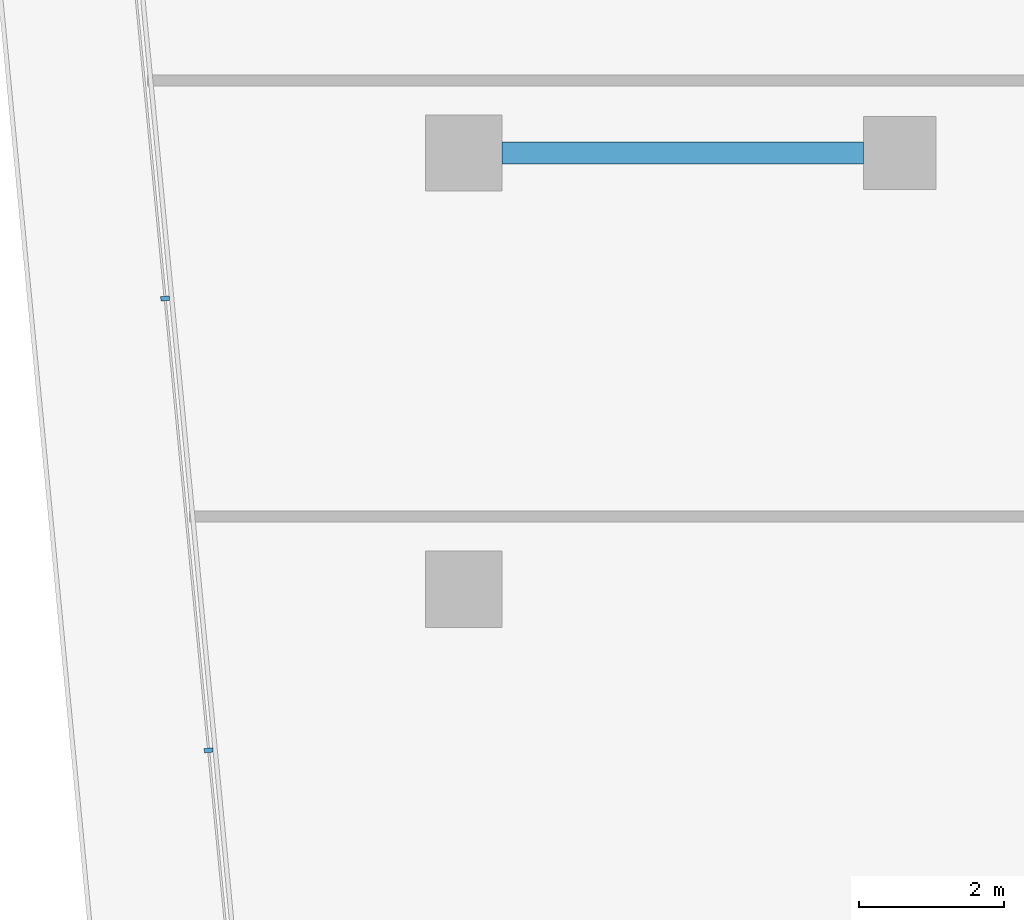
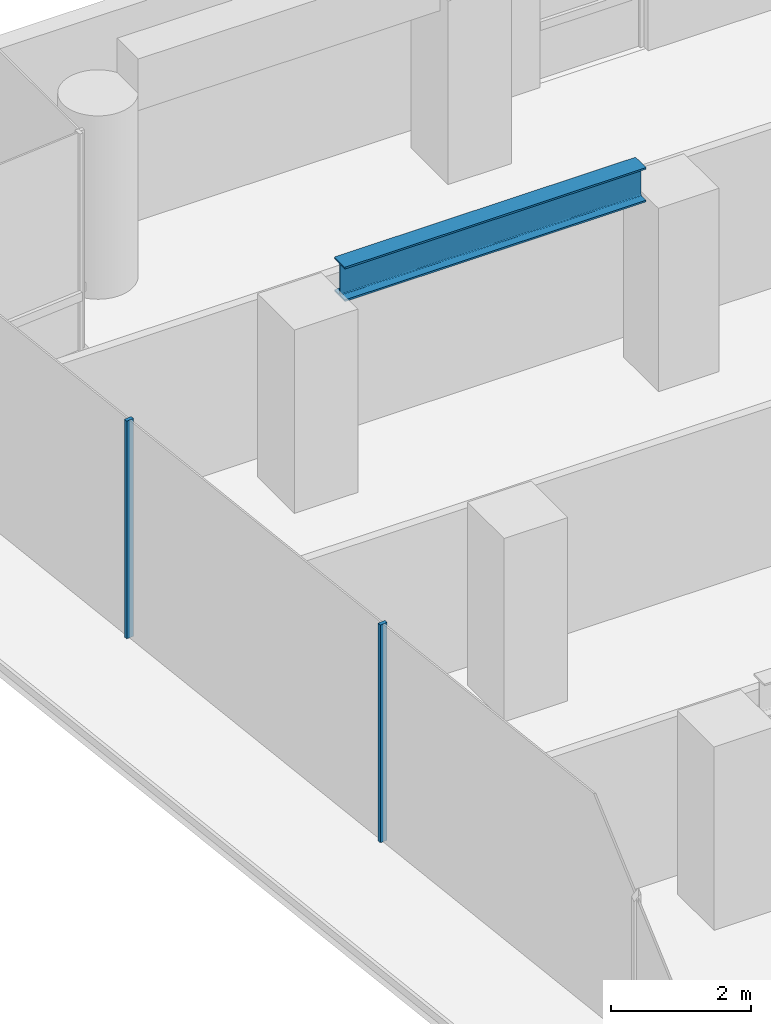
# One storey, part 15 of 30: 2 members, 1 beam, 1 element without a shape of its own.
"""IFC4 building model written with IfcOpenShell, lengths in metres."""

import ifcopenshell
import ifcopenshell.guid

model = None  # the IFC model being written
_history = None  # IfcOwnerHistory: only IFC2X3 demands one
_inside = {}  # id of a spatial element -> (the spatial element, [elements in it])
_under = {}  # id of a project, library or spatial element -> (it, [spatial elements below it])
_declared = {}  # id of a project -> (the project, [libraries it declares])
_typed = {}  # id of a type object -> (the type object, [elements of that type])
_made_of = {}  # id of a material, layer set ... -> (it, [elements and type objects made of it])


def new_model(schema):
    """Start an empty IFC model of exactly this schema.

    Asked for "IFC4X3", IfcOpenShell would pick the latest addendum, in which some entities
    have other attributes; the version numbers below select the first issue.
    IFC2X3 requires an IfcOwnerHistory on every rooted entity: one is made here for all.
    """
    global model, _history
    if schema == "IFC4X3":
        model = ifcopenshell.file(schema_version=(4, 3, 0, 0))
    else:
        model = ifcopenshell.file(schema=schema)
    _inside.clear()
    _under.clear()
    _declared.clear()
    _typed.clear()
    _made_of.clear()
    _history = None
    if model.schema == "IFC2X3":
        org = make("IfcOrganization", Name="unknown")
        user = make(
            "IfcPersonAndOrganization",
            ThePerson=make("IfcPerson", FamilyName="unknown"),
            TheOrganization=org,
        )
        app = make(
            "IfcApplication",
            ApplicationDeveloper=org,
            Version="unknown",
            ApplicationFullName="unknown",
            ApplicationIdentifier="unknown",
        )
        _history = make(
            "IfcOwnerHistory",
            OwningUser=user,
            OwningApplication=app,
            ChangeAction="ADDED",
            CreationDate=0,
        )
    return model


def make(cls, **values):
    """One entity of the class cls with the attributes given. An attribute that is None is left unset."""
    return model.create_entity(
        cls, **{name: value for name, value in values.items() if value is not None}
    )


def rooted(cls, **values):
    """An entity with a GlobalId (a new one), such as an element, a storey or a relation."""
    return make(cls, GlobalId=ifcopenshell.guid.new(), OwnerHistory=_history, **values)


def si_unit(unit_type, name, prefix=None):
    """IfcSIUnit, for example si_unit("LENGTHUNIT", "METRE", prefix="MILLI")."""
    return make("IfcSIUnit", UnitType=unit_type, Prefix=prefix, Name=name)


def assignment(units):
    """IfcUnitAssignment: the units of a project."""
    return None if units is None else make("IfcUnitAssignment", Units=units)


def point(xyz):
    """IfcCartesianPoint."""
    return None if xyz is None else make("IfcCartesianPoint", Coordinates=xyz)


def direction(xyz):
    """IfcDirection."""
    return None if xyz is None else make("IfcDirection", DirectionRatios=xyz)


def frame(location, z_axis=None, x_axis=None):
    """IfcAxis2Placement3D, a coordinate frame: its origin and axes. An axis left out is left unset."""
    return make(
        "IfcAxis2Placement3D",
        Location=point(location),
        Axis=direction(z_axis),
        RefDirection=direction(x_axis),
    )


def frame_2d(location, x_axis=None):
    """IfcAxis2Placement2D, a coordinate frame in the plane: its origin and x axis."""
    return make(
        "IfcAxis2Placement2D", Location=point(location), RefDirection=direction(x_axis)
    )


def origin():
    """The frame at (0, 0, 0) with its axes left unset."""
    return frame((0.0, 0.0, 0.0))


def origin_2d():
    """The frame at (0, 0) in the plane with its x axis left unset."""
    return frame_2d((0.0, 0.0))


def place(relative_to, where):
    """IfcLocalPlacement: puts the frame where relative to a parent placement (None: the world)."""
    return make(
        "IfcLocalPlacement", PlacementRelTo=relative_to, RelativePlacement=where
    )


def context(
    kind, dimensions, precision=None, world=None, true_north=None, identifier=None
):
    """IfcGeometricRepresentationContext, for example the 3D "Model" context."""
    return make(
        "IfcGeometricRepresentationContext",
        ContextIdentifier=identifier,
        ContextType=kind,
        CoordinateSpaceDimension=dimensions,
        Precision=precision,
        WorldCoordinateSystem=world,
        TrueNorth=true_north,
    )


def subcontext(parent, identifier, kind, view, scale=None):
    """IfcGeometricRepresentationSubContext, for example "Body" below "Model"."""
    return make(
        "IfcGeometricRepresentationSubContext",
        ContextIdentifier=identifier,
        ContextType=kind,
        ParentContext=parent,
        TargetScale=scale,
        TargetView=view,
    )


def project(units=None, contexts=None):
    """IfcProject with its units and contexts."""
    return rooted(
        "IfcProject",
        Name="project",
        RepresentationContexts=contexts,
        UnitsInContext=assignment(units),
    )


def spatial(cls, under=None, at=None, **own):
    """A site, building, storey or space (cls), placed at a placement, below another one or the project."""
    s = rooted(cls, ObjectPlacement=at, **own)
    if under is not None:
        _under.setdefault(under.id(), (under, []))[1].append(s)
    return s


def profile(cls, at=None, kind="AREA", **sizes):
    """A parametric profile (cls). Its sizes go by their IFC names, for example OverallWidth=200.0."""
    return make(cls, ProfileType=kind, Position=at, **sizes)


def rectangle(**sizes):
    """IfcRectangleProfileDef."""
    return profile("IfcRectangleProfileDef", **sizes)


def i_section(**sizes):
    """IfcIShapeProfileDef."""
    return profile("IfcIShapeProfileDef", **sizes)


def extrude(swept, where, along, depth):
    """IfcExtrudedAreaSolid: the profile swept, set in the frame where, extruded along a direction by depth."""
    return make(
        "IfcExtrudedAreaSolid",
        SweptArea=swept,
        Position=where,
        ExtrudedDirection=direction(along),
        Depth=depth,
    )


def shape(context_of_items, identifier, shape_type, items):
    """IfcShapeRepresentation: the items that make up one representation, for example the "Body"."""
    return make(
        "IfcShapeRepresentation",
        ContextOfItems=context_of_items,
        RepresentationIdentifier=identifier,
        RepresentationType=shape_type,
        Items=items,
    )


def material(Name=None, Category=None):
    """IfcMaterial."""
    return make("IfcMaterial", Name=Name, Category=Category)


def layer(
    of_material, thickness, ventilated=None, Name=None, Category=None, Priority=None
):
    """IfcMaterialLayer: one layer of a wall or slab, of a material (None: an air gap)."""
    return make(
        "IfcMaterialLayer",
        Material=of_material,
        LayerThickness=thickness,
        IsVentilated=ventilated,
        Name=Name,
        Category=Category,
        Priority=Priority,
    )


def layer_set(layers, Name=None):
    """IfcMaterialLayerSet."""
    return make("IfcMaterialLayerSet", MaterialLayers=layers, LayerSetName=Name)


def material_profile(
    of_material, cross_section, Name=None, Category=None, Priority=None
):
    """IfcMaterialProfile: a cross section and its material."""
    return make(
        "IfcMaterialProfile",
        Name=Name,
        Material=of_material,
        Profile=cross_section,
        Priority=Priority,
        Category=Category,
    )


def profile_set(profiles, Name=None, composite=None):
    """IfcMaterialProfileSet."""
    return make(
        "IfcMaterialProfileSet",
        Name=Name,
        MaterialProfiles=profiles,
        CompositeProfile=composite,
    )


def made_of(thing, what):
    """Note that an element or type object is made of a material, layer set ...; save() writes the relation."""
    if what is not None:
        _made_of.setdefault(what.id(), (what, []))[1].append(thing)
    return thing


def type_object(cls, material=None, **own):
    """A type object (cls), such as IfcWallType, which elements share."""
    return made_of(rooted(cls, **own), material)


def element(
    cls,
    number,
    at=None,
    inside=None,
    cuts=None,
    type_object=None,
    material=None,
    context=None,
    identifier="Body",
    shape_type=None,
    held_by="IfcProductDefinitionShape",
    body=None,
    shapes=None,
    **own,
):
    """One element of the class cls, such as IfcWall. Its Tag is "e" and its number.

    at: its placement. inside: the storey or other place that contains it. cuts: it is an
    opening in that element (IfcRelVoidsElement). A single representation is given by context,
    identifier, shape_type and body (its items); several are given by shapes. held_by: the class
    of the entity that holds the representations. save() writes the other relations.
    """
    e = rooted(cls, Tag="e%d" % number, ObjectPlacement=at, **own)
    if body is not None:
        shapes = [shape(context, identifier, shape_type, body)]
    if shapes is not None:
        e.Representation = make(held_by, Representations=shapes)
    if inside is not None:
        _inside.setdefault(inside.id(), (inside, []))[1].append(e)
    if cuts is not None:
        rooted(
            "IfcRelVoidsElement", RelatingBuildingElement=cuts, RelatedOpeningElement=e
        )
    if type_object is not None:
        _typed.setdefault(type_object.id(), (type_object, []))[1].append(e)
    return made_of(e, material)


def aggregate(whole, parts):
    """IfcRelAggregates: a whole, such as a stair, and the parts it consists of."""
    return rooted("IfcRelAggregates", RelatingObject=whole, RelatedObjects=parts)


def save(model, path):
    """Write the relations noted so far, then the file.

    IfcRelAggregates (storeys below a building ...), IfcRelContainedInSpatialStructure (elements
    in a storey), IfcRelDefinesByType, IfcRelAssociatesMaterial and IfcRelDeclares: one each for
    every whole, place, type object, material and project.
    """
    for whole, parts in _under.values():
        aggregate(whole, parts)
    for where, things in _inside.values():
        rooted(
            "IfcRelContainedInSpatialStructure",
            RelatedElements=things,
            RelatingStructure=where,
        )
    for kind, things in _typed.values():
        rooted("IfcRelDefinesByType", RelatedObjects=things, RelatingType=kind)
    for what, things in _made_of.values():
        rooted("IfcRelAssociatesMaterial", RelatedObjects=things, RelatingMaterial=what)
    for by, libraries in _declared.values():
        rooted("IfcRelDeclares", RelatingContext=by, RelatedDefinitions=libraries)
    model.write(path)


model = new_model("IFC4")

# Units and contexts
model_context = context("Model", 3, precision=1e-05, world=origin(), true_north=direction((0.0, 1.0)))
body_context = subcontext(model_context, "Body", "Model", "MODEL_VIEW")
ifc_project = project(units=[si_unit("LENGTHUNIT", "METRE"), si_unit("AREAUNIT", "SQUARE_METRE"), si_unit("VOLUMEUNIT", "CUBIC_METRE"), si_unit("PLANEANGLEUNIT", "RADIAN"), si_unit("MASSUNIT", "GRAM", prefix="KILO")], contexts=[model_context])

# Site, building, storey
site_placement = place(None, origin())
site = spatial("IfcSite", under=ifc_project, at=site_placement, CompositionType="ELEMENT")
building_placement = place(site_placement, origin())
building = spatial("IfcBuilding", under=site, at=building_placement, Name="Welwitschia Terrace Campus", CompositionType="ELEMENT")
storey_placement = place(building_placement, frame((0.0, 0.0, 75.199951171875)))
storey = spatial("IfcBuildingStorey", under=building, at=storey_placement, Name="L17", CompositionType="ELEMENT", Elevation=75.199951171875)

# Curtain wall, members
ifc_material_1 = material(Name="Bronze anodised aluminium", Category="aluminium")
ifc_layer = layer(ifc_material_1, 0.1201171875)
ifc_layer_set = layer_set([ifc_layer], Name="Bronze anodised aluminium")
curtain_wall_type = type_object("IfcCurtainWallType", Name="Curtain wall CW2 tower 6000", PredefinedType="NOTDEFINED", material=ifc_layer_set)
curtain_wall_placement = place(storey_placement, origin())
curtain_wall = element("IfcCurtainWall", 1, at=curtain_wall_placement, inside=storey, type_object=curtain_wall_type, Name="CW L17.16.0", PredefinedType="NOTDEFINED")
ifc_material_2 = material(Name="Bronze anodised aluminium", Category="aluminium")
ifc_material_profile_1 = material_profile(ifc_material_2, rectangle(XDim=0.1201171875, YDim=0.06005859375, at=origin_2d()))
ifc_profile_set_1 = profile_set([ifc_material_profile_1], Name="Bronze anodised aluminium")
member_type = type_object("IfcMemberType", Name="Mullion 60x120", PredefinedType="MULLION", material=ifc_profile_set_1)
member_1_placement = place(storey_placement, frame((-4.1064453125, 53.999267578125, 0.0), z_axis=(0.0, 0.0, 1.0), x_axis=(0.995396198367, 0.09584575252, 0.0)))
member_1 = element("IfcMember", 2, at=member_1_placement, type_object=member_type, Name="Mullion L17.16.0.1", PredefinedType="MULLION", context=body_context, shape_type="SweptSolid", body=[
    extrude(rectangle(XDim=0.1201171875, YDim=0.06005859375, at=origin_2d()), origin(), (0.0, 0.0, 1.0), 3.800048828125),
])
member_2_placement = place(storey_placement, frame((-3.508056640625, 47.783935546875, 0.0), z_axis=(0.0, 0.0, 1.0), x_axis=(0.995396198367, 0.09584575252, 0.0)))
member_2 = element("IfcMember", 3, at=member_2_placement, type_object=member_type, Name="Mullion L17.16.0.2", PredefinedType="MULLION", context=body_context, shape_type="SweptSolid", body=[
    extrude(rectangle(XDim=0.1201171875, YDim=0.06005859375, at=origin_2d()), origin(), (0.0, 0.0, 1.0), 3.800048828125),
])
aggregate(curtain_wall, [member_1, member_2])

# Beam
ifc_material_3 = material(Name="Steel S355", Category="steel")
ifc_material_profile_2 = material_profile(ifc_material_3, i_section(OverallWidth=0.300048828125, OverallDepth=0.60009765625, WebThickness=0.015380859375, FlangeThickness=0.030029296875, FilletRadius=0.027099609375, at=origin_2d()))
ifc_profile_set_2 = profile_set([ifc_material_profile_2], Name="Steel S355")
beam_type = type_object("IfcBeamType", Name="Primary beam HE 600 B", PredefinedType="BEAM", material=ifc_profile_set_2)
beam_placement = place(storey_placement, frame((0.525390625, 56.0, 3.400146484375), z_axis=(1.0, 0.0, 0.0), x_axis=(0.0, 1.0, 0.0)))
element("IfcBeam", 4, at=beam_placement, inside=storey, type_object=beam_type, Name="Primary beam PB2", PredefinedType="BEAM", context=body_context, shape_type="SweptSolid", body=[
    extrude(i_section(OverallWidth=0.300048828125, OverallDepth=0.60009765625, WebThickness=0.015380859375, FlangeThickness=0.030029296875, FilletRadius=0.027099609375, at=origin_2d()), origin(), (0.0, 0.0, 1.0), 4.97412109375),
])

save(model, "model.ifc")
